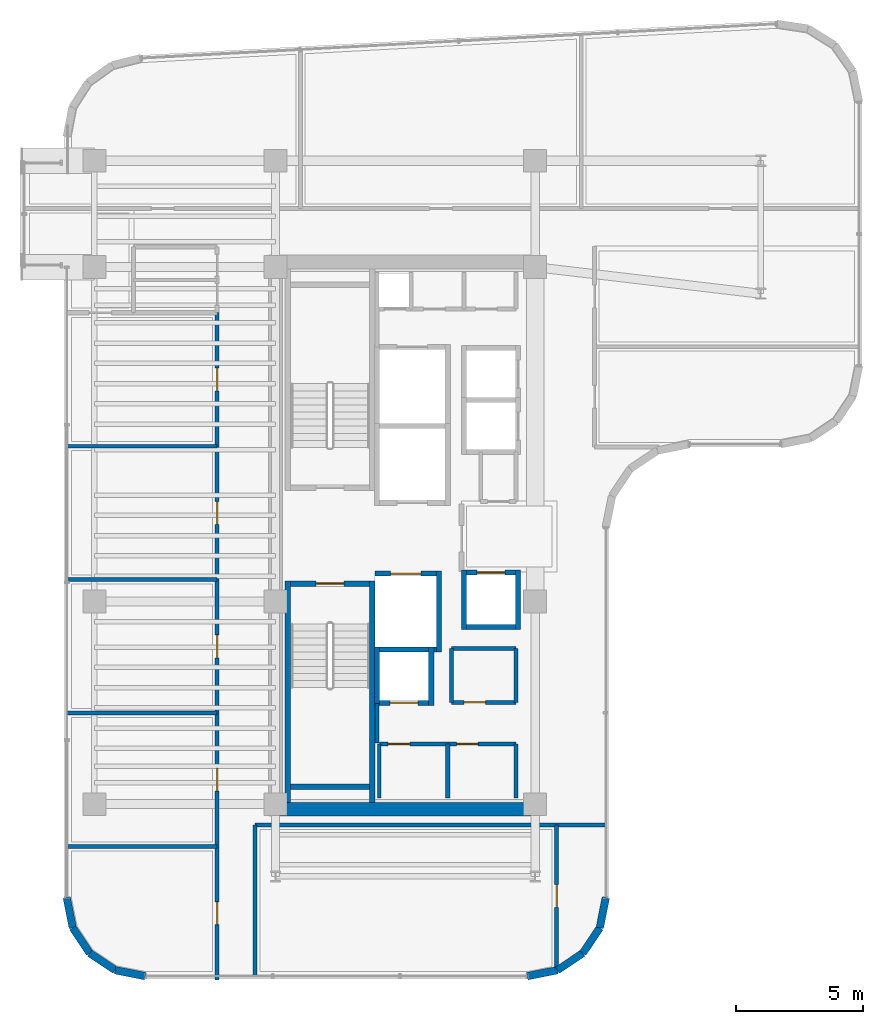
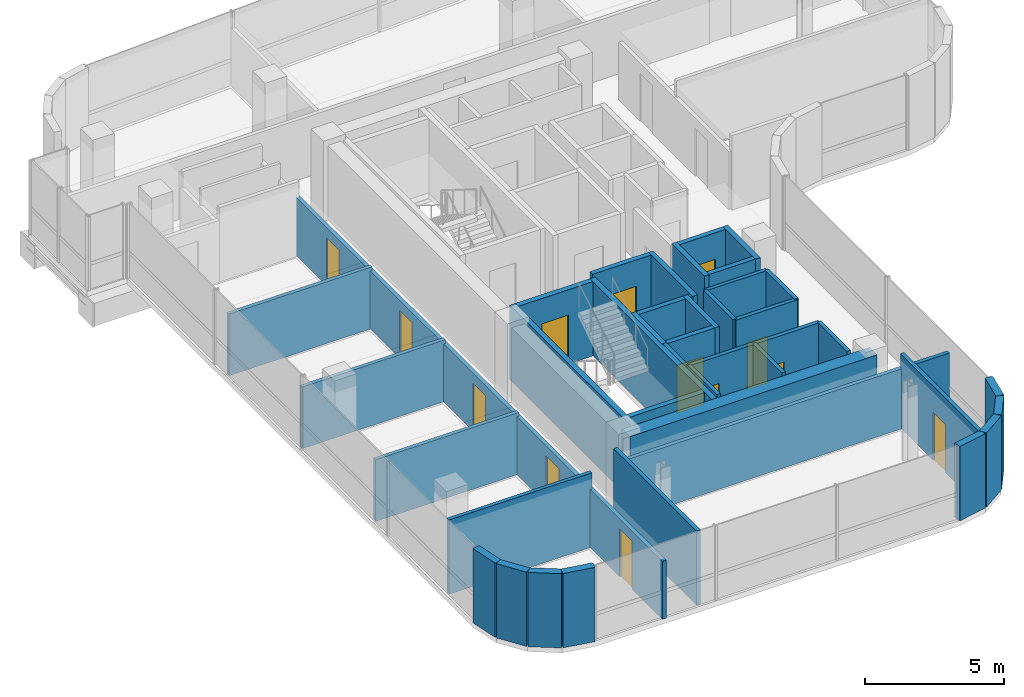
# One storey, part 17 of 21: 40 walls, 13 doors, 13 openings.
"""IFC4 building model written with IfcOpenShell, lengths in metres."""

import ifcopenshell
import ifcopenshell.guid

model = None  # the IFC model being written
_history = None  # IfcOwnerHistory: only IFC2X3 demands one
_inside = {}  # id of a spatial element -> (the spatial element, [elements in it])
_under = {}  # id of a project, library or spatial element -> (it, [spatial elements below it])
_declared = {}  # id of a project -> (the project, [libraries it declares])
_typed = {}  # id of a type object -> (the type object, [elements of that type])
_made_of = {}  # id of a material, layer set ... -> (it, [elements and type objects made of it])


def new_model(schema):
    """Start an empty IFC model of exactly this schema.

    Asked for "IFC4X3", IfcOpenShell would pick the latest addendum, in which some entities
    have other attributes; the version numbers below select the first issue.
    IFC2X3 requires an IfcOwnerHistory on every rooted entity: one is made here for all.
    """
    global model, _history
    if schema == "IFC4X3":
        model = ifcopenshell.file(schema_version=(4, 3, 0, 0))
    else:
        model = ifcopenshell.file(schema=schema)
    _inside.clear()
    _under.clear()
    _declared.clear()
    _typed.clear()
    _made_of.clear()
    _history = None
    if model.schema == "IFC2X3":
        org = make("IfcOrganization", Name="unknown")
        user = make(
            "IfcPersonAndOrganization",
            ThePerson=make("IfcPerson", FamilyName="unknown"),
            TheOrganization=org,
        )
        app = make(
            "IfcApplication",
            ApplicationDeveloper=org,
            Version="unknown",
            ApplicationFullName="unknown",
            ApplicationIdentifier="unknown",
        )
        _history = make(
            "IfcOwnerHistory",
            OwningUser=user,
            OwningApplication=app,
            ChangeAction="ADDED",
            CreationDate=0,
        )
    return model


def make(cls, **values):
    """One entity of the class cls with the attributes given. An attribute that is None is left unset."""
    return model.create_entity(
        cls, **{name: value for name, value in values.items() if value is not None}
    )


def rooted(cls, **values):
    """An entity with a GlobalId (a new one), such as an element, a storey or a relation."""
    return make(cls, GlobalId=ifcopenshell.guid.new(), OwnerHistory=_history, **values)


def si_unit(unit_type, name, prefix=None):
    """IfcSIUnit, for example si_unit("LENGTHUNIT", "METRE", prefix="MILLI")."""
    return make("IfcSIUnit", UnitType=unit_type, Prefix=prefix, Name=name)


def assignment(units):
    """IfcUnitAssignment: the units of a project."""
    return None if units is None else make("IfcUnitAssignment", Units=units)


def point(xyz):
    """IfcCartesianPoint."""
    return None if xyz is None else make("IfcCartesianPoint", Coordinates=xyz)


def direction(xyz):
    """IfcDirection."""
    return None if xyz is None else make("IfcDirection", DirectionRatios=xyz)


def frame(location, z_axis=None, x_axis=None):
    """IfcAxis2Placement3D, a coordinate frame: its origin and axes. An axis left out is left unset."""
    return make(
        "IfcAxis2Placement3D",
        Location=point(location),
        Axis=direction(z_axis),
        RefDirection=direction(x_axis),
    )


def frame_2d(location, x_axis=None):
    """IfcAxis2Placement2D, a coordinate frame in the plane: its origin and x axis."""
    return make(
        "IfcAxis2Placement2D", Location=point(location), RefDirection=direction(x_axis)
    )


def origin():
    """The frame at (0, 0, 0) with its axes left unset."""
    return frame((0.0, 0.0, 0.0))


def place(relative_to, where):
    """IfcLocalPlacement: puts the frame where relative to a parent placement (None: the world)."""
    return make(
        "IfcLocalPlacement", PlacementRelTo=relative_to, RelativePlacement=where
    )


def context(
    kind, dimensions, precision=None, world=None, true_north=None, identifier=None
):
    """IfcGeometricRepresentationContext, for example the 3D "Model" context."""
    return make(
        "IfcGeometricRepresentationContext",
        ContextIdentifier=identifier,
        ContextType=kind,
        CoordinateSpaceDimension=dimensions,
        Precision=precision,
        WorldCoordinateSystem=world,
        TrueNorth=true_north,
    )


def subcontext(parent, identifier, kind, view, scale=None):
    """IfcGeometricRepresentationSubContext, for example "Body" below "Model"."""
    return make(
        "IfcGeometricRepresentationSubContext",
        ContextIdentifier=identifier,
        ContextType=kind,
        ParentContext=parent,
        TargetScale=scale,
        TargetView=view,
    )


def project(units=None, contexts=None):
    """IfcProject with its units and contexts."""
    return rooted(
        "IfcProject",
        Name="project",
        RepresentationContexts=contexts,
        UnitsInContext=assignment(units),
    )


def spatial(cls, under=None, at=None, **own):
    """A site, building, storey or space (cls), placed at a placement, below another one or the project."""
    s = rooted(cls, ObjectPlacement=at, **own)
    if under is not None:
        _under.setdefault(under.id(), (under, []))[1].append(s)
    return s


def profile(cls, at=None, kind="AREA", **sizes):
    """A parametric profile (cls). Its sizes go by their IFC names, for example OverallWidth=200.0."""
    return make(cls, ProfileType=kind, Position=at, **sizes)


def rectangle(**sizes):
    """IfcRectangleProfileDef."""
    return profile("IfcRectangleProfileDef", **sizes)


def extrude(swept, where, along, depth):
    """IfcExtrudedAreaSolid: the profile swept, set in the frame where, extruded along a direction by depth."""
    return make(
        "IfcExtrudedAreaSolid",
        SweptArea=swept,
        Position=where,
        ExtrudedDirection=direction(along),
        Depth=depth,
    )


def shape(context_of_items, identifier, shape_type, items):
    """IfcShapeRepresentation: the items that make up one representation, for example the "Body"."""
    return make(
        "IfcShapeRepresentation",
        ContextOfItems=context_of_items,
        RepresentationIdentifier=identifier,
        RepresentationType=shape_type,
        Items=items,
    )


def material(Name=None, Category=None):
    """IfcMaterial."""
    return make("IfcMaterial", Name=Name, Category=Category)


def layer(
    of_material, thickness, ventilated=None, Name=None, Category=None, Priority=None
):
    """IfcMaterialLayer: one layer of a wall or slab, of a material (None: an air gap)."""
    return make(
        "IfcMaterialLayer",
        Material=of_material,
        LayerThickness=thickness,
        IsVentilated=ventilated,
        Name=Name,
        Category=Category,
        Priority=Priority,
    )


def layer_set(layers, Name=None):
    """IfcMaterialLayerSet."""
    return make("IfcMaterialLayerSet", MaterialLayers=layers, LayerSetName=Name)


def made_of(thing, what):
    """Note that an element or type object is made of a material, layer set ...; save() writes the relation."""
    if what is not None:
        _made_of.setdefault(what.id(), (what, []))[1].append(thing)
    return thing


def type_object(cls, material=None, **own):
    """A type object (cls), such as IfcWallType, which elements share."""
    return made_of(rooted(cls, **own), material)


def element(
    cls,
    number,
    at=None,
    inside=None,
    cuts=None,
    type_object=None,
    material=None,
    context=None,
    identifier="Body",
    shape_type=None,
    held_by="IfcProductDefinitionShape",
    body=None,
    shapes=None,
    **own,
):
    """One element of the class cls, such as IfcWall. Its Tag is "e" and its number.

    at: its placement. inside: the storey or other place that contains it. cuts: it is an
    opening in that element (IfcRelVoidsElement). A single representation is given by context,
    identifier, shape_type and body (its items); several are given by shapes. held_by: the class
    of the entity that holds the representations. save() writes the other relations.
    """
    e = rooted(cls, Tag="e%d" % number, ObjectPlacement=at, **own)
    if body is not None:
        shapes = [shape(context, identifier, shape_type, body)]
    if shapes is not None:
        e.Representation = make(held_by, Representations=shapes)
    if inside is not None:
        _inside.setdefault(inside.id(), (inside, []))[1].append(e)
    if cuts is not None:
        rooted(
            "IfcRelVoidsElement", RelatingBuildingElement=cuts, RelatedOpeningElement=e
        )
    if type_object is not None:
        _typed.setdefault(type_object.id(), (type_object, []))[1].append(e)
    return made_of(e, material)


def fill(opening, filler):
    """IfcRelFillsElement: the door or window that sits in an opening."""
    return rooted(
        "IfcRelFillsElement",
        RelatingOpeningElement=opening,
        RelatedBuildingElement=filler,
    )


def aggregate(whole, parts):
    """IfcRelAggregates: a whole, such as a stair, and the parts it consists of."""
    return rooted("IfcRelAggregates", RelatingObject=whole, RelatedObjects=parts)


def save(model, path):
    """Write the relations noted so far, then the file.

    IfcRelAggregates (storeys below a building ...), IfcRelContainedInSpatialStructure (elements
    in a storey), IfcRelDefinesByType, IfcRelAssociatesMaterial and IfcRelDeclares: one each for
    every whole, place, type object, material and project.
    """
    for whole, parts in _under.values():
        aggregate(whole, parts)
    for where, things in _inside.values():
        rooted(
            "IfcRelContainedInSpatialStructure",
            RelatedElements=things,
            RelatingStructure=where,
        )
    for kind, things in _typed.values():
        rooted("IfcRelDefinesByType", RelatedObjects=things, RelatingType=kind)
    for what, things in _made_of.values():
        rooted("IfcRelAssociatesMaterial", RelatedObjects=things, RelatingMaterial=what)
    for by, libraries in _declared.values():
        rooted("IfcRelDeclares", RelatingContext=by, RelatedDefinitions=libraries)
    model.write(path)


model = new_model("IFC4")

# Units and contexts
model_context = context("Model", 3, precision=1e-05, world=origin(), true_north=direction((0.0, 1.0)))
body_context = subcontext(model_context, "Body", "Model", "MODEL_VIEW")
ifc_project = project(units=[si_unit("LENGTHUNIT", "METRE"), si_unit("AREAUNIT", "SQUARE_METRE"), si_unit("VOLUMEUNIT", "CUBIC_METRE"), si_unit("PLANEANGLEUNIT", "RADIAN"), si_unit("MASSUNIT", "GRAM", prefix="KILO")], contexts=[model_context])

# Site, building, storey
site_placement = place(None, origin())
site = spatial("IfcSite", under=ifc_project, at=site_placement, CompositionType="ELEMENT")
building_placement = place(site_placement, origin())
building = spatial("IfcBuilding", under=site, at=building_placement, Name="Valdorenza Pilgrim Sanctuary Tower", CompositionType="ELEMENT")
storey_placement = place(building_placement, frame((0.0, 0.0, 223.0)))
storey = spatial("IfcBuildingStorey", under=building, at=storey_placement, Name="L57", CompositionType="ELEMENT", Elevation=223.0)

# Wall
ifc_material_1 = material(Name="Acoustic twin-stud gypsum partition", Category="gypsum")
ifc_layer_1 = layer(ifc_material_1, 0.159912109375, Name="Acoustic twin-stud gypsum partition")
ifc_layer_set_1 = layer_set([ifc_layer_1], Name="Acoustic twin-stud gypsum partition")
wall_type_1 = type_object("IfcWallType", Name="WAL-COR-160", PredefinedType="PARTITIONING", material=ifc_layer_set_1)
wall_1_placement = place(storey_placement, frame((-18.64990234375, -8.179931640625, 0.0), z_axis=(0.0, 0.0, 1.0), x_axis=(0.0, 1.0, 0.0)))
element("IfcWall", 1, at=wall_1_placement, inside=storey, type_object=wall_type_1, Name="L57 Core A South Lift Hall West Wall", PredefinedType="PARTITIONING", context=body_context, shape_type="SweptSolid", body=[
    extrude(rectangle(XDim=1.559814453125, YDim=0.159912109375, at=frame_2d((0.77978515625, 0.0))), origin(), (0.0, 0.0, 1.0), 3.260009765625),
])

# Wall, openings, doors
wall_2_placement = place(storey_placement, frame((-18.550048828125, -8.219970703125, 0.0), z_axis=(0.0, 0.0, 1.0), x_axis=(1.0, 0.0, 0.0)))
wall_2 = element("IfcWall", 2, at=wall_2_placement, inside=storey, type_object=wall_type_1, Name="L57 Freed Shaft 1 North Wall", PredefinedType="PARTITIONING", context=body_context, shape_type="SweptSolid", body=[
    extrude(rectangle(XDim=5.400146484375, YDim=0.159912109375, at=frame_2d((2.7001953125, 0.0))), origin(), (0.0, 0.0, 1.0), 3.260009765625),
])
opening_1_placement = place(wall_2_placement, frame((0.35009765625, 0.0, 0.0)))
opening_1 = element("IfcOpeningElement", 3, at=opening_1_placement, cuts=wall_2, Name="Opening DR-RS1", PredefinedType="OPENING", context=body_context, shape_type="SweptSolid", body=[
    extrude(rectangle(XDim=0.85009765625, YDim=2.050048828125, at=frame_2d((0.425048828125, 1.02490234375))), frame((0.0, 0.0947265625, 0.0), z_axis=(0.0, -1.0, 0.0), x_axis=(1.0, 0.0, 0.0)), (0.0, 0.0, 1.0), 0.189697265625),
])
opening_2_placement = place(wall_2_placement, frame((3.050048828125, 0.0, 0.0)))
opening_2 = element("IfcOpeningElement", 4, at=opening_2_placement, cuts=wall_2, Name="Opening DR-RS1", PredefinedType="OPENING", context=body_context, shape_type="SweptSolid", body=[
    extrude(rectangle(XDim=0.85009765625, YDim=2.050048828125, at=frame_2d((0.425048828125, 1.02490234375))), frame((0.0, 0.0947265625, 0.0), z_axis=(0.0, -1.0, 0.0), x_axis=(1.0, 0.0, 0.0)), (0.0, 0.0, 1.0), 0.189697265625),
])
ifc_material_2 = material(Name="Painted galvanized steel", Category="steel")
door_type_1 = type_object("IfcDoorType", Name="DR-RSR-850", OperationType="NOTDEFINED", PredefinedType="DOOR", material=ifc_material_2)
door_1_placement = place(opening_1_placement, origin())
door_1 = element("IfcDoor", 5, at=door_1_placement, inside=storey, type_object=door_type_1, Name="L57 Linen Store Door", OperationType="SINGLE_SWING_RIGHT", OverallHeight=2.050048828125, OverallWidth=0.85009765625, PredefinedType="DOOR", context=body_context, shape_type="SweptSolid", body=[
    extrude(rectangle(XDim=0.85009765625, YDim=2.050048828125, at=frame_2d((0.425048828125, 1.02490234375))), frame((0.0, 0.02490234375, 0.0), z_axis=(0.0, -1.0, 0.0), x_axis=(1.0, 0.0, 0.0)), (0.0, 0.0, 1.0), 0.050048828125),
])
fill(opening_1, door_1)
door_2_placement = place(opening_2_placement, origin())
door_2 = element("IfcDoor", 6, at=door_2_placement, inside=storey, type_object=door_type_1, Name="L57 Cot Store Door", OperationType="SINGLE_SWING_LEFT", OverallHeight=2.050048828125, OverallWidth=0.85009765625, PredefinedType="DOOR", context=body_context, shape_type="SweptSolid", body=[
    extrude(rectangle(XDim=0.85009765625, YDim=2.050048828125, at=frame_2d((0.425048828125, 1.02490234375))), frame((0.0, 0.02490234375, 0.0), z_axis=(0.0, -1.0, 0.0), x_axis=(1.0, 0.0, 0.0)), (0.0, 0.0, 1.0), 0.050048828125),
])
fill(opening_2, door_2)

# Walls
for number, where, z_axis, x_axis, name in (
    (7, (-13.14990234375, -10.35009765625, 0.0), (0.0, 0.0, 1.0), (0.0, 1.0, 0.0), "L57 Freed Shaft 1 East Wall"),
    (8, (-15.85009765625, -10.35009765625, 0.0), (0.0, 0.0, 1.0), (0.0, 1.0, 0.0), "L57 Freed Shaft 1 Split Wall"),
):
    element("IfcWall", number, at=place(storey_placement, frame(where, z_axis=z_axis, x_axis=x_axis)), inside=storey, type_object=wall_type_1, Name=name, PredefinedType="PARTITIONING", context=body_context, shape_type="SweptSolid", body=[
        extrude(rectangle(XDim=2.130126953125, YDim=0.159912109375, at=frame_2d((1.06494140625, 0.0))), origin(), (0.0, 0.0, 1.0), 3.260009765625),
    ])

# Wall, opening, door
wall_3_placement = place(storey_placement, frame((-15.699951171875, -6.580078125, 0.0), z_axis=(0.0, 0.0, 1.0), x_axis=(1.0, 0.0, 0.0)))
wall_3 = element("IfcWall", 9, at=wall_3_placement, inside=storey, type_object=wall_type_1, Name="L57 Freed Shaft 2 South Wall", PredefinedType="PARTITIONING", context=body_context, shape_type="SweptSolid", body=[
    extrude(rectangle(XDim=2.550048828125, YDim=0.159912109375, at=frame_2d((1.27490234375, 0.0))), origin(), (0.0, 0.0, 1.0), 3.260009765625),
])
opening_3_placement = place(wall_3_placement, frame((0.5, 0.0, 0.0)))
opening_3 = element("IfcOpeningElement", 10, at=opening_3_placement, cuts=wall_3, Name="Opening DR-RS1", PredefinedType="OPENING", context=body_context, shape_type="SweptSolid", body=[
    extrude(rectangle(XDim=0.85009765625, YDim=2.050048828125, at=frame_2d((0.425048828125, 1.02490234375))), frame((0.0, 0.0947265625, 0.0), z_axis=(0.0, -1.0, 0.0), x_axis=(1.0, 0.0, 0.0)), (0.0, 0.0, 1.0), 0.189697265625),
])
door_3_placement = place(opening_3_placement, origin())
door_3 = element("IfcDoor", 11, at=door_3_placement, inside=storey, type_object=door_type_1, Name="L57 Guest Tea Pantry Door", OperationType="SINGLE_SWING_RIGHT", OverallHeight=2.050048828125, OverallWidth=0.85009765625, PredefinedType="DOOR", context=body_context, shape_type="SweptSolid", body=[
    extrude(rectangle(XDim=0.85009765625, YDim=2.050048828125, at=frame_2d((0.425048828125, 1.02490234375))), frame((0.0, 0.02490234375, 0.0), z_axis=(0.0, -1.0, 0.0), x_axis=(1.0, 0.0, 0.0)), (0.0, 0.0, 1.0), 0.050048828125),
])
fill(opening_3, door_3)

# Walls
wall_4_placement = place(storey_placement, frame((-13.14990234375, -6.580078125, 0.0), z_axis=(0.0, 0.0, 1.0), x_axis=(0.0, 1.0, 0.0)))
element("IfcWall", 12, at=wall_4_placement, inside=storey, type_object=wall_type_1, Name="L57 Freed Shaft 2 East Wall", PredefinedType="PARTITIONING", context=body_context, shape_type="SweptSolid", body=[
    extrude(rectangle(XDim=2.130126953125, YDim=0.159912109375, at=frame_2d((1.06494140625, 0.0))), origin(), (0.0, 0.0, 1.0), 3.260009765625),
])
wall_5_placement = place(storey_placement, frame((-23.449951171875, -11.419921875, 0.0), z_axis=(0.0, 0.0, 1.0), x_axis=(1.0, 0.0, 0.0)))
element("IfcWall", 13, at=wall_5_placement, inside=storey, type_object=wall_type_1, Name="L57 South-East Pocket North Wall", PredefinedType="PARTITIONING", context=body_context, shape_type="SweptSolid", body=[
    extrude(rectangle(XDim=13.83984375, YDim=0.159912109375, at=frame_2d((6.919921875, 0.0))), origin(), (0.0, 0.0, 1.0), 2.634033203125),
])
wall_6_placement = place(storey_placement, frame((-23.449951171875, -17.389892578125, 0.0), z_axis=(0.0, 0.0, 1.0), x_axis=(0.0, 1.0, 0.0)))
element("IfcWall", 14, at=wall_6_placement, inside=storey, type_object=wall_type_1, Name="L57 South-East Pocket West Wall", PredefinedType="PARTITIONING", context=body_context, shape_type="SweptSolid", body=[
    extrude(rectangle(XDim=5.969970703125, YDim=0.159912109375, at=frame_2d((2.98486328125, 0.0))), origin(), (0.0, 0.0, 1.0), 3.260009765625),
])

# Wall, openings, doors
wall_7_placement = place(storey_placement, frame((-24.949951171875, -17.5400390625, 0.0), z_axis=(0.0, 0.0, 1.0), x_axis=(0.0, 1.0, 0.0)))
wall_7 = element("IfcWall", 15, at=wall_7_placement, inside=storey, type_object=wall_type_1, Name="L57 West Wing Corridor Wall", PredefinedType="PARTITIONING", context=body_context, shape_type="SweptSolid", body=[
    extrude(rectangle(XDim=26.340087890625, YDim=0.159912109375, at=frame_2d((13.169921875, 0.0))), origin(), (0.0, 0.0, 1.0), 2.5439453125),
])
opening_4_placement = place(wall_7_placement, frame((2.18408203125, 0.0, 0.0)))
opening_4 = element("IfcOpeningElement", 16, at=opening_4_placement, cuts=wall_7, Name="Opening DR-RM1", PredefinedType="OPENING", context=body_context, shape_type="SweptSolid", body=[
    extrude(rectangle(XDim=0.89990234375, YDim=2.10009765625, at=frame_2d((0.449951171875, 1.050048828125))), frame((0.0, 0.0947265625, 0.0), z_axis=(0.0, -1.0, 0.0), x_axis=(1.0, 0.0, 0.0)), (0.0, 0.0, 1.0), 0.189697265625),
])
opening_5_placement = place(wall_7_placement, frame((7.451904296875, 0.0, 0.0)))
opening_5 = element("IfcOpeningElement", 17, at=opening_5_placement, cuts=wall_7, Name="Opening DR-RM1", PredefinedType="OPENING", context=body_context, shape_type="SweptSolid", body=[
    extrude(rectangle(XDim=0.89990234375, YDim=2.10009765625, at=frame_2d((0.449951171875, 1.050048828125))), frame((0.0, 0.0947265625, 0.0), z_axis=(0.0, -1.0, 0.0), x_axis=(1.0, 0.0, 0.0)), (0.0, 0.0, 1.0), 0.189697265625),
])
opening_6_placement = place(wall_7_placement, frame((12.719970703125, 0.0, 0.0)))
opening_6 = element("IfcOpeningElement", 18, at=opening_6_placement, cuts=wall_7, Name="Opening DR-RM1", PredefinedType="OPENING", context=body_context, shape_type="SweptSolid", body=[
    extrude(rectangle(XDim=0.89990234375, YDim=2.10009765625, at=frame_2d((0.449951171875, 1.050048828125))), frame((0.0, 0.0947265625, 0.0), z_axis=(0.0, -1.0, 0.0), x_axis=(1.0, 0.0, 0.0)), (0.0, 0.0, 1.0), 0.189697265625),
])
opening_7_placement = place(wall_7_placement, frame((17.988037109375, 0.0, 0.0)))
opening_7 = element("IfcOpeningElement", 19, at=opening_7_placement, cuts=wall_7, Name="Opening DR-RM1", PredefinedType="OPENING", context=body_context, shape_type="SweptSolid", body=[
    extrude(rectangle(XDim=0.89990234375, YDim=2.10009765625, at=frame_2d((0.449951171875, 1.050048828125))), frame((0.0, 0.0947265625, 0.0), z_axis=(0.0, -1.0, 0.0), x_axis=(1.0, 0.0, 0.0)), (0.0, 0.0, 1.0), 0.189697265625),
])
opening_8_placement = place(wall_7_placement, frame((23.256103515625, 0.0, 0.0)))
opening_8 = element("IfcOpeningElement", 20, at=opening_8_placement, cuts=wall_7, Name="Opening DR-RM1", PredefinedType="OPENING", context=body_context, shape_type="SweptSolid", body=[
    extrude(rectangle(XDim=0.89990234375, YDim=2.10009765625, at=frame_2d((0.449951171875, 1.050048828125))), frame((0.0, 0.0947265625, 0.0), z_axis=(0.0, -1.0, 0.0), x_axis=(1.0, 0.0, 0.0)), (0.0, 0.0, 1.0), 0.189697265625),
])
ifc_material_3 = material(Name="Solid-core European oak timber", Category="wood")
door_type_2 = type_object("IfcDoorType", Name="DR-ROOM-900", OperationType="NOTDEFINED", PredefinedType="DOOR", material=ifc_material_3)
door_4_placement = place(opening_4_placement, frame((0.89990234375, 0.0, 0.0), z_axis=(0.0, 0.0, 1.0), x_axis=(-1.0, 0.0, 0.0)))
door_4 = element("IfcDoor", 21, at=door_4_placement, inside=storey, type_object=door_type_2, Name="L57 Pilgrim Scholar Office L57-W1 Door", OperationType="SINGLE_SWING_LEFT", OverallHeight=2.10009765625, OverallWidth=0.89990234375, PredefinedType="DOOR", context=body_context, shape_type="SweptSolid", body=[
    extrude(rectangle(XDim=0.89990234375, YDim=2.10009765625, at=frame_2d((0.449951171875, 1.050048828125))), frame((0.0, 0.02490234375, 0.0), z_axis=(0.0, -1.0, 0.0), x_axis=(1.0, 0.0, 0.0)), (0.0, 0.0, 1.0), 0.050048828125),
])
fill(opening_4, door_4)
door_5_placement = place(opening_5_placement, origin())
door_5 = element("IfcDoor", 22, at=door_5_placement, inside=storey, type_object=door_type_2, Name="L57 Pilgrim Scholar Office L57-W2 Door", OperationType="SINGLE_SWING_RIGHT", OverallHeight=2.10009765625, OverallWidth=0.89990234375, PredefinedType="DOOR", context=body_context, shape_type="SweptSolid", body=[
    extrude(rectangle(XDim=0.89990234375, YDim=2.10009765625, at=frame_2d((0.449951171875, 1.050048828125))), frame((0.0, 0.02490234375, 0.0), z_axis=(0.0, -1.0, 0.0), x_axis=(1.0, 0.0, 0.0)), (0.0, 0.0, 1.0), 0.050048828125),
])
fill(opening_5, door_5)
door_6_placement = place(opening_6_placement, frame((0.89990234375, 0.0, 0.0), z_axis=(0.0, 0.0, 1.0), x_axis=(-1.0, 0.0, 0.0)))
door_6 = element("IfcDoor", 23, at=door_6_placement, inside=storey, type_object=door_type_2, Name="L57 Pilgrim Scholar Office L57-W3 Door", OperationType="SINGLE_SWING_LEFT", OverallHeight=2.10009765625, OverallWidth=0.89990234375, PredefinedType="DOOR", context=body_context, shape_type="SweptSolid", body=[
    extrude(rectangle(XDim=0.89990234375, YDim=2.10009765625, at=frame_2d((0.449951171875, 1.050048828125))), frame((0.0, 0.02490234375, 0.0), z_axis=(0.0, -1.0, 0.0), x_axis=(1.0, 0.0, 0.0)), (0.0, 0.0, 1.0), 0.050048828125),
])
fill(opening_6, door_6)
door_7_placement = place(opening_7_placement, origin())
door_7 = element("IfcDoor", 24, at=door_7_placement, inside=storey, type_object=door_type_2, Name="L57 Pilgrim Scholar Office L57-W4 Door", OperationType="SINGLE_SWING_RIGHT", OverallHeight=2.10009765625, OverallWidth=0.89990234375, PredefinedType="DOOR", context=body_context, shape_type="SweptSolid", body=[
    extrude(rectangle(XDim=0.89990234375, YDim=2.10009765625, at=frame_2d((0.449951171875, 1.050048828125))), frame((0.0, 0.02490234375, 0.0), z_axis=(0.0, -1.0, 0.0), x_axis=(1.0, 0.0, 0.0)), (0.0, 0.0, 1.0), 0.050048828125),
])
fill(opening_7, door_7)
door_8_placement = place(opening_8_placement, frame((0.89990234375, 0.0, 0.0), z_axis=(0.0, 0.0, 1.0), x_axis=(-1.0, 0.0, 0.0)))
door_8 = element("IfcDoor", 25, at=door_8_placement, inside=storey, type_object=door_type_2, Name="L57 Pilgrim Scholar Office L57-W5 Door", OperationType="SINGLE_SWING_LEFT", OverallHeight=2.10009765625, OverallWidth=0.89990234375, PredefinedType="DOOR", context=body_context, shape_type="SweptSolid", body=[
    extrude(rectangle(XDim=0.89990234375, YDim=2.10009765625, at=frame_2d((0.449951171875, 1.050048828125))), frame((0.0, 0.02490234375, 0.0), z_axis=(0.0, -1.0, 0.0), x_axis=(1.0, 0.0, 0.0)), (0.0, 0.0, 1.0), 0.050048828125),
])
fill(opening_8, door_8)

# Wall, opening, door
wall_8_placement = place(storey_placement, frame((-11.550048828125, -17.023681640625, 0.0), z_axis=(0.0, 0.0, 1.0), x_axis=(0.0, 1.0, 0.0)))
wall_8 = element("IfcWall", 26, at=wall_8_placement, inside=storey, type_object=wall_type_1, Name="L57 South-East Concourse Wall", PredefinedType="PARTITIONING", context=body_context, shape_type="SweptSolid", body=[
    extrude(rectangle(XDim=5.603759765625, YDim=0.159912109375, at=frame_2d((2.8017578125, 0.0))), origin(), (0.0, 0.0, 1.0), 3.260009765625),
])
opening_9_placement = place(wall_8_placement, frame((2.35205078125, 0.0, 0.0)))
opening_9 = element("IfcOpeningElement", 27, at=opening_9_placement, cuts=wall_8, Name="Opening DR-RM1", PredefinedType="OPENING", context=body_context, shape_type="SweptSolid", body=[
    extrude(rectangle(XDim=0.89990234375, YDim=2.10009765625, at=frame_2d((0.449951171875, 1.050048828125))), frame((0.0, 0.0947265625, 0.0), z_axis=(0.0, -1.0, 0.0), x_axis=(1.0, 0.0, 0.0)), (0.0, 0.0, 1.0), 0.189697265625),
])
door_9_placement = place(opening_9_placement, origin())
door_9 = element("IfcDoor", 28, at=door_9_placement, inside=storey, type_object=door_type_2, Name="L57 South Contemplation Lounge L57 Door", OperationType="SINGLE_SWING_RIGHT", OverallHeight=2.10009765625, OverallWidth=0.89990234375, PredefinedType="DOOR", context=body_context, shape_type="SweptSolid", body=[
    extrude(rectangle(XDim=0.89990234375, YDim=2.10009765625, at=frame_2d((0.449951171875, 1.050048828125))), frame((0.0, 0.02490234375, 0.0), z_axis=(0.0, -1.0, 0.0), x_axis=(1.0, 0.0, 0.0)), (0.0, 0.0, 1.0), 0.050048828125),
])
fill(opening_9, door_9)

# Walls
ifc_material_4 = material(Name="Concrete C50/60", Category="concrete")
ifc_layer_2 = layer(ifc_material_4, 0.550048828125, Name="Concrete C50/60")
ifc_layer_set_2 = layer_set([ifc_layer_2], Name="Concrete C50/60")
wall_type_2 = type_object("IfcWallType", Name="WAL-COR-550", PredefinedType="SHEAR", material=ifc_layer_set_2)
wall_9_placement = place(storey_placement, frame((-22.64990234375, -10.800048828125, 0.0), z_axis=(0.0, 0.0, 1.0), x_axis=(1.0, 0.0, 0.0)))
element("IfcWall", 29, at=wall_9_placement, inside=storey, type_object=wall_type_2, Name="L57 Split Core A Shear Wall S", PredefinedType="SHEAR", context=body_context, shape_type="SweptSolid", body=[
    extrude(rectangle(XDim=10.25, YDim=0.550048828125, at=frame_2d((5.125, 0.0))), origin(), (0.0, 0.0, 1.0), 3.260009765625),
])
ifc_material_5 = material(Name="Honed travertine limestone", Category="masonry")
ifc_layer_3 = layer(ifc_material_5, 0.300048828125, Name="Honed travertine limestone")
ifc_layer_set_3 = layer_set([ifc_layer_3], Name="Honed travertine limestone")
wall_type_3 = type_object("IfcWallType", Name="WAL-EXT-300", PredefinedType="SOLIDWALL", material=ifc_layer_set_3)
wall_10_placement = place(storey_placement, frame((-9.610107421875, -14.289306640625, 0.0), z_axis=(0.0, 0.0, 1.0), x_axis=(-0.194996050505, -0.980804027463, 0.0)))
element("IfcWall", 30, at=wall_10_placement, inside=storey, type_object=wall_type_3, Name="L57 Rounded Wind-Corner Stone Pier 22", PredefinedType="SOLIDWALL", context=body_context, shape_type="SweptSolid", body=[
    extrude(rectangle(XDim=1.2158203125, YDim=0.300048828125, at=frame_2d((0.60791015625, 0.0))), origin(), (0.0, 0.0, 1.0), 3.260009765625),
])
for number, where, z_axis, x_axis, name in (
    (31, (-9.84716796875, -15.481689453125, 0.0), (0.0, 0.0, 1.0), (-0.555635100982, -0.831426265255, 0.0), "L57 Rounded Wind-Corner Stone Pier 23"),
    (32, (-10.5166015625, -16.4833984375, 0.0), (0.0, 0.0, 1.0), (-0.831426265255, -0.555635100982, 0.0), "L57 Rounded Wind-Corner Stone Pier 24"),
):
    element("IfcWall", number, at=place(storey_placement, frame(where, z_axis=z_axis, x_axis=x_axis)), inside=storey, type_object=wall_type_3, Name=name, PredefinedType="SOLIDWALL", context=body_context, shape_type="SweptSolid", body=[
        extrude(rectangle(XDim=1.204833984375, YDim=0.300048828125, at=frame_2d((0.6025390625, 0.0))), origin(), (0.0, 0.0, 1.0), 3.260009765625),
    ])
for number, where, z_axis, x_axis, name in (
    (33, (-11.518310546875, -17.15283203125, 0.0), (0.0, 0.0, 1.0), (-0.980804027463, -0.194996050505, 0.0), "L57 Rounded Wind-Corner Stone Pier 25"),
    (34, (-27.789306640625, -17.389892578125, 0.0), (0.0, 0.0, 1.0), (-0.980804027463, 0.194996050505, 0.0), "L57 Rounded Wind-Corner Stone Pier 27"),
):
    element("IfcWall", number, at=place(storey_placement, frame(where, z_axis=z_axis, x_axis=x_axis)), inside=storey, type_object=wall_type_3, Name=name, PredefinedType="SOLIDWALL", context=body_context, shape_type="SweptSolid", body=[
        extrude(rectangle(XDim=1.2158203125, YDim=0.300048828125, at=frame_2d((0.60791015625, 0.0))), origin(), (0.0, 0.0, 1.0), 3.260009765625),
    ])
for number, where, z_axis, x_axis, name in (
    (35, (-28.981689453125, -17.15283203125, 0.0), (0.0, 0.0, 1.0), (-0.831426265255, 0.555635100982, 0.0), "L57 Rounded Wind-Corner Stone Pier 28"),
    (36, (-29.9833984375, -16.4833984375, 0.0), (0.0, 0.0, 1.0), (-0.555635100982, 0.831426265255, 0.0), "L57 Rounded Wind-Corner Stone Pier 29"),
):
    element("IfcWall", number, at=place(storey_placement, frame(where, z_axis=z_axis, x_axis=x_axis)), inside=storey, type_object=wall_type_3, Name=name, PredefinedType="SOLIDWALL", context=body_context, shape_type="SweptSolid", body=[
        extrude(rectangle(XDim=1.204833984375, YDim=0.300048828125, at=frame_2d((0.6025390625, 0.0))), origin(), (0.0, 0.0, 1.0), 3.260009765625),
    ])
wall_11_placement = place(storey_placement, frame((-30.65283203125, -15.481689453125, 0.0), z_axis=(0.0, 0.0, 1.0), x_axis=(-0.194996050505, 0.980804027463, 0.0)))
element("IfcWall", 37, at=wall_11_placement, inside=storey, type_object=wall_type_3, Name="L57 Rounded Wind-Corner Stone Pier 30", PredefinedType="SOLIDWALL", context=body_context, shape_type="SweptSolid", body=[
    extrude(rectangle(XDim=1.2158203125, YDim=0.300048828125, at=frame_2d((0.60791015625, 0.0))), origin(), (0.0, 0.0, 1.0), 3.260009765625),
])
ifc_material_6 = material(Name="Autoclaved aerated concrete blockwork", Category="masonry")
ifc_layer_4 = layer(ifc_material_6, 0.199951171875, Name="Autoclaved aerated concrete blockwork")
ifc_layer_set_4 = layer_set([ifc_layer_4], Name="Autoclaved aerated concrete blockwork")
wall_type_4 = type_object("IfcWallType", Name="WAL-SHF-200", PredefinedType="MOVABLE", material=ifc_layer_set_4)
wall_12_placement = place(storey_placement, frame((-16.199951171875, -4.60009765625, 0.0), z_axis=(0.0, 0.0, 1.0), x_axis=(0.0, 1.0, 0.0)))
element("IfcWall", 38, at=wall_12_placement, inside=storey, type_object=wall_type_4, Name="L57 Lift FFL-02 Hoistway Wall East", PredefinedType="MOVABLE", context=body_context, shape_type="SweptSolid", body=[
    extrude(rectangle(XDim=3.2001953125, YDim=0.199951171875, at=frame_2d((1.60009765625, 0.0))), origin(), (0.0, 0.0, 1.0), 3.260009765625),
])
wall_13_placement = place(storey_placement, frame((-18.719970703125, -4.5, 0.0), z_axis=(0.0, 0.0, 1.0), x_axis=(1.0, 0.0, 0.0)))
element("IfcWall", 39, at=wall_13_placement, inside=storey, type_object=wall_type_4, Name="L57 Lift FFL-02 Hoistway Wall South", PredefinedType="MOVABLE", context=body_context, shape_type="SweptSolid", body=[
    extrude(rectangle(XDim=2.419921875, YDim=0.199951171875, at=frame_2d((1.2099609375, 0.0))), origin(), (0.0, 0.0, 1.0), 3.260009765625),
])

# Wall, opening, door
wall_14_placement = place(storey_placement, frame((-18.719970703125, -1.5, 0.0), z_axis=(0.0, 0.0, 1.0), x_axis=(1.0, 0.0, 0.0)))
wall_14 = element("IfcWall", 40, at=wall_14_placement, inside=storey, type_object=wall_type_4, Name="L57 Lift FFL-02 Hoistway Wall North", PredefinedType="MOVABLE", context=body_context, shape_type="SweptSolid", body=[
    extrude(rectangle(XDim=2.419921875, YDim=0.199951171875, at=frame_2d((1.2099609375, 0.0))), origin(), (0.0, 0.0, 1.0), 3.260009765625),
])
opening_10_placement = place(wall_14_placement, frame((0.610107421875, 0.0, 0.0)))
opening_10 = element("IfcOpeningElement", 41, at=opening_10_placement, cuts=wall_14, Name="Opening LD-02", PredefinedType="OPENING", context=body_context, shape_type="SweptSolid", body=[
    extrude(rectangle(XDim=1.199951171875, YDim=2.10009765625, at=frame_2d((0.60009765625, 1.050048828125))), frame((0.0, 0.11474609375, 0.0), z_axis=(0.0, -1.0, 0.0), x_axis=(1.0, 0.0, 0.0)), (0.0, 0.0, 1.0), 0.229736328125),
])
ifc_material_7 = material(Name="Brushed stainless steel Grade 316", Category="steel")
door_type_3 = type_object("IfcDoorType", Name="DR-LFT-1200", OperationType="DOUBLE_DOOR_SLIDING", PredefinedType="DOOR", material=ifc_material_7)
door_10_placement = place(opening_10_placement, origin())
door_10 = element("IfcDoor", 42, at=door_10_placement, inside=storey, type_object=door_type_3, Name="L57 Lift FFL-02 Sliding Landing Door", OperationType="DOUBLE_DOOR_SLIDING", OverallHeight=2.10009765625, OverallWidth=1.199951171875, PredefinedType="DOOR", context=body_context, shape_type="SweptSolid", body=[
    extrude(rectangle(XDim=1.199951171875, YDim=2.10009765625, at=frame_2d((0.60009765625, 1.050048828125))), frame((0.0, 0.02490234375, 0.0), z_axis=(0.0, -1.0, 0.0), x_axis=(1.0, 0.0, 0.0)), (0.0, 0.0, 1.0), 0.050048828125),
])
fill(opening_10, door_10)

# Walls
for number, where, z_axis, x_axis, name in (
    (43, (-18.64990234375, -6.699951171875, 0.0), (0.0, 0.0, 1.0), (0.0, 1.0, 0.0), "L57 Lift PL-11 Hoistway Wall West"),
    (44, (-16.5, -6.699951171875, 0.0), (0.0, 0.0, 1.0), (0.0, 1.0, 0.0), "L57 Lift PL-11 Hoistway Wall East"),
):
    element("IfcWall", number, at=place(storey_placement, frame(where, z_axis=z_axis, x_axis=x_axis)), inside=storey, type_object=wall_type_4, Name=name, PredefinedType="MOVABLE", context=body_context, shape_type="SweptSolid", body=[
        extrude(rectangle(XDim=2.300048828125, YDim=0.199951171875, at=frame_2d((1.14990234375, 0.0))), origin(), (0.0, 0.0, 1.0), 3.260009765625),
    ])

# Wall, opening, door
wall_15_placement = place(storey_placement, frame((-18.550048828125, -6.60009765625, 0.0), z_axis=(0.0, 0.0, 1.0), x_axis=(1.0, 0.0, 0.0)))
wall_15 = element("IfcWall", 45, at=wall_15_placement, inside=storey, type_object=wall_type_4, Name="L57 Lift PL-11 Hoistway Wall South", PredefinedType="MOVABLE", context=body_context, shape_type="SweptSolid", body=[
    extrude(rectangle(XDim=1.949951171875, YDim=0.199951171875, at=frame_2d((0.97509765625, 0.0))), origin(), (0.0, 0.0, 1.0), 3.260009765625),
])
opening_11_placement = place(wall_15_placement, frame((0.425048828125, 0.0, 0.0)))
opening_11 = element("IfcOpeningElement", 46, at=opening_11_placement, cuts=wall_15, Name="Opening LD-01", PredefinedType="OPENING", context=body_context, shape_type="SweptSolid", body=[
    extrude(rectangle(XDim=1.10009765625, YDim=2.10009765625, at=frame_2d((0.550048828125, 1.050048828125))), frame((0.0, 0.11474609375, 0.0), z_axis=(0.0, -1.0, 0.0), x_axis=(1.0, 0.0, 0.0)), (0.0, 0.0, 1.0), 0.229736328125),
])
door_type_4 = type_object("IfcDoorType", Name="DR-LFT-1100", OperationType="DOUBLE_DOOR_SLIDING", PredefinedType="DOOR", material=ifc_material_7)
door_11_placement = place(opening_11_placement, origin())
door_11 = element("IfcDoor", 47, at=door_11_placement, inside=storey, type_object=door_type_4, Name="L57 Lift PL-11 Sliding Landing Door", OperationType="DOUBLE_DOOR_SLIDING", OverallHeight=2.10009765625, OverallWidth=1.10009765625, PredefinedType="DOOR", context=body_context, shape_type="SweptSolid", body=[
    extrude(rectangle(XDim=1.10009765625, YDim=2.10009765625, at=frame_2d((0.550048828125, 1.050048828125))), frame((0.0, 0.02490234375, 0.0), z_axis=(0.0, -1.0, 0.0), x_axis=(1.0, 0.0, 0.0)), (0.0, 0.0, 1.0), 0.050048828125),
])
fill(opening_11, door_11)

# Walls
for number, where, z_axis, x_axis, name in (
    (48, (-15.199951171875, -3.699951171875, 0.0), (0.0, 0.0, 1.0), (0.0, 1.0, 0.0), "L57 Lift PL-12 Hoistway Wall West"),
    (49, (-13.080078125, -3.699951171875, 0.0), (0.0, 0.0, 1.0), (0.0, 1.0, 0.0), "L57 Lift PL-12 Hoistway Wall East"),
):
    element("IfcWall", number, at=place(storey_placement, frame(where, z_axis=z_axis, x_axis=x_axis)), inside=storey, type_object=wall_type_4, Name=name, PredefinedType="MOVABLE", context=body_context, shape_type="SweptSolid", body=[
        extrude(rectangle(XDim=2.349853515625, YDim=0.199951171875, at=frame_2d((1.1748046875, 0.0))), origin(), (0.0, 0.0, 1.0), 3.260009765625),
    ])
wall_16_placement = place(storey_placement, frame((-15.10009765625, -3.60009765625, 0.0), z_axis=(0.0, 0.0, 1.0), x_axis=(1.0, 0.0, 0.0)))
element("IfcWall", 50, at=wall_16_placement, inside=storey, type_object=wall_type_4, Name="L57 Lift PL-12 Hoistway Wall South", PredefinedType="MOVABLE", context=body_context, shape_type="SweptSolid", body=[
    extrude(rectangle(XDim=1.920166015625, YDim=0.199951171875, at=frame_2d((0.9599609375, 0.0))), origin(), (0.0, 0.0, 1.0), 3.260009765625),
])

# Wall, opening, door
wall_17_placement = place(storey_placement, frame((-15.10009765625, -1.449951171875, 0.0), z_axis=(0.0, 0.0, 1.0), x_axis=(1.0, 0.0, 0.0)))
wall_17 = element("IfcWall", 51, at=wall_17_placement, inside=storey, type_object=wall_type_4, Name="L57 Lift PL-12 Hoistway Wall North", PredefinedType="MOVABLE", context=body_context, shape_type="SweptSolid", body=[
    extrude(rectangle(XDim=1.920166015625, YDim=0.199951171875, at=frame_2d((0.9599609375, 0.0))), origin(), (0.0, 0.0, 1.0), 3.260009765625),
])
opening_12_placement = place(wall_17_placement, frame((0.409912109375, 0.0, 0.0)))
opening_12 = element("IfcOpeningElement", 52, at=opening_12_placement, cuts=wall_17, Name="Opening LD-01", PredefinedType="OPENING", context=body_context, shape_type="SweptSolid", body=[
    extrude(rectangle(XDim=1.10009765625, YDim=2.10009765625, at=frame_2d((0.550048828125, 1.050048828125))), frame((0.0, 0.11474609375, 0.0), z_axis=(0.0, -1.0, 0.0), x_axis=(1.0, 0.0, 0.0)), (0.0, 0.0, 1.0), 0.229736328125),
])
door_12_placement = place(opening_12_placement, origin())
door_12 = element("IfcDoor", 53, at=door_12_placement, inside=storey, type_object=door_type_4, Name="L57 Lift PL-12 Sliding Landing Door", OperationType="DOUBLE_DOOR_SLIDING", OverallHeight=2.10009765625, OverallWidth=1.10009765625, PredefinedType="DOOR", context=body_context, shape_type="SweptSolid", body=[
    extrude(rectangle(XDim=1.10009765625, YDim=2.10009765625, at=frame_2d((0.550048828125, 1.050048828125))), frame((0.0, 0.02490234375, 0.0), z_axis=(0.0, -1.0, 0.0), x_axis=(1.0, 0.0, 0.0)), (0.0, 0.0, 1.0), 0.050048828125),
])
fill(opening_12, door_12)

# Walls
ifc_material_8 = material(Name="Concrete C40/50", Category="concrete")
ifc_layer_5 = layer(ifc_material_8, 0.219970703125, Name="Concrete C40/50")
ifc_layer_set_5 = layer_set([ifc_layer_5], Name="Concrete C40/50")
wall_type_5 = type_object("IfcWallType", Name="WAL-STR-SHF-220", PredefinedType="SHEAR", material=ifc_layer_set_5)
for number, where, z_axis, x_axis, name in (
    (54, (-22.159912109375, -10.52490234375, 0.0), (0.0, 0.0, 1.0), (0.0, 1.0, 0.0), "L57 ST-A2 Structural Stairwell Wall W"),
    (55, (-18.830078125, -10.52490234375, 0.0), (0.0, 0.0, 1.0), (0.0, 1.0, 0.0), "L57 ST-A2 Structural Stairwell Wall E"),
):
    element("IfcWall", number, at=place(storey_placement, frame(where, z_axis=z_axis, x_axis=x_axis)), inside=storey, type_object=wall_type_5, Name=name, PredefinedType="SHEAR", context=body_context, shape_type="SweptSolid", body=[
        extrude(rectangle(XDim=8.744873046875, YDim=0.219970703125, at=frame_2d((4.37255859375, 0.0))), origin(), (0.0, 0.0, 1.0), 3.260009765625),
    ])
wall_18_placement = place(storey_placement, frame((-22.050048828125, -9.909912109375, 0.0), z_axis=(0.0, 0.0, 1.0), x_axis=(1.0, 0.0, 0.0)))
element("IfcWall", 56, at=wall_18_placement, inside=storey, type_object=wall_type_5, Name="L57 ST-A2 Structural Stairwell Wall S", PredefinedType="SHEAR", context=body_context, shape_type="SweptSolid", body=[
    extrude(rectangle(XDim=3.110107421875, YDim=0.219970703125, at=frame_2d((1.55517578125, 0.0))), origin(), (0.0, 0.0, 1.0), 3.260009765625),
])

# Wall, opening, door
wall_19_placement = place(storey_placement, frame((-22.050048828125, -1.889892578125, 0.0), z_axis=(0.0, 0.0, 1.0), x_axis=(1.0, 0.0, 0.0)))
wall_19 = element("IfcWall", 57, at=wall_19_placement, inside=storey, type_object=wall_type_5, Name="L57 ST-A2 Structural Stairwell Wall N", PredefinedType="SHEAR", context=body_context, shape_type="SweptSolid", body=[
    extrude(rectangle(XDim=3.110107421875, YDim=0.219970703125, at=frame_2d((1.55517578125, 0.0))), origin(), (0.0, 0.0, 1.0), 3.260009765625),
])
opening_13_placement = place(wall_19_placement, frame((1.0, 0.0, 0.0)))
opening_13 = element("IfcOpeningElement", 58, at=opening_13_placement, cuts=wall_19, Name="Opening DR-ST1", PredefinedType="OPENING", context=body_context, shape_type="SweptSolid", body=[
    extrude(rectangle(XDim=1.10009765625, YDim=2.14990234375, at=frame_2d((0.550048828125, 1.074951171875))), frame((0.0, 0.125, 0.0), z_axis=(0.0, -1.0, 0.0), x_axis=(1.0, 0.0, 0.0)), (0.0, 0.0, 1.0), 0.249755859375),
])
door_type_5 = type_object("IfcDoorType", Name="DR-STAIR-1100", OperationType="NOTDEFINED", PredefinedType="DOOR", material=ifc_material_2)
door_13_placement = place(opening_13_placement, origin())
door_13 = element("IfcDoor", 59, at=door_13_placement, inside=storey, type_object=door_type_5, Name="L57 Exit Stair ST-A2 Door", OperationType="SINGLE_SWING_RIGHT", OverallHeight=2.14990234375, OverallWidth=1.10009765625, PredefinedType="DOOR", context=body_context, shape_type="SweptSolid", body=[
    extrude(rectangle(XDim=1.10009765625, YDim=2.14990234375, at=frame_2d((0.550048828125, 1.074951171875))), frame((0.0, 0.02490234375, 0.0), z_axis=(0.0, -1.0, 0.0), x_axis=(1.0, 0.0, 0.0)), (0.0, 0.0, 1.0), 0.050048828125),
])
fill(opening_13, door_13)

# Walls
ifc_layer_6 = layer(ifc_material_1, 0.14990234375, Name="Acoustic twin-stud gypsum partition")
ifc_layer_set_6 = layer_set([ifc_layer_6], Name="Acoustic twin-stud gypsum partition")
wall_type_6 = type_object("IfcWallType", Name="WAL-UNT-150", PredefinedType="PARTITIONING", material=ifc_layer_set_6)
for number, where, z_axis, x_axis, name in (
    (60, (-18.550048828125, -10.35009765625, 0.0), (0.0, 0.0, 1.0), (0.0, 1.0, 0.0), "L57 Freed Shaft 1 West Wall"),
    (61, (-15.699951171875, -6.580078125, 0.0), (0.0, 0.0, 1.0), (0.0, 1.0, 0.0), "L57 Freed Shaft 2 West Wall"),
):
    element("IfcWall", number, at=place(storey_placement, frame(where, z_axis=z_axis, x_axis=x_axis)), inside=storey, type_object=wall_type_6, Name=name, PredefinedType="PARTITIONING", context=body_context, shape_type="SweptSolid", body=[
        extrude(rectangle(XDim=2.130126953125, YDim=0.14990234375, at=frame_2d((1.06494140625, 0.0))), origin(), (0.0, 0.0, 1.0), 3.260009765625),
    ])
wall_20_placement = place(storey_placement, frame((-15.699951171875, -4.449951171875, 0.0), z_axis=(0.0, 0.0, 1.0), x_axis=(1.0, 0.0, 0.0)))
element("IfcWall", 62, at=wall_20_placement, inside=storey, type_object=wall_type_6, Name="L57 Freed Shaft 2 North Wall", PredefinedType="PARTITIONING", context=body_context, shape_type="SweptSolid", body=[
    extrude(rectangle(XDim=2.550048828125, YDim=0.14990234375, at=frame_2d((1.27490234375, 0.0))), origin(), (0.0, 0.0, 1.0), 3.260009765625),
])
wall_21_placement = place(storey_placement, frame((-30.889892578125, -12.27197265625, 0.0), z_axis=(0.0, 0.0, 1.0), x_axis=(1.0, 0.0, 0.0)))
element("IfcWall", 63, at=wall_21_placement, inside=storey, type_object=wall_type_6, Name="L57 Pilgrim Scholar Office L57-W2 Demising Wall", PredefinedType="PARTITIONING", context=body_context, shape_type="SweptSolid", body=[
    extrude(rectangle(XDim=5.93994140625, YDim=0.14990234375, at=frame_2d((2.969970703125, 0.0))), origin(), (0.0, 0.0, 1.0), 3.260009765625),
])
for number, where, z_axis, x_axis, name in (
    (64, (-30.889892578125, -7.00390625, 0.0), (0.0, 0.0, 1.0), (1.0, 0.0, 0.0), "L57 Pilgrim Scholar Office L57-W3 Demising Wall"),
    (65, (-30.889892578125, -1.736083984375, 0.0), (0.0, 0.0, 1.0), (1.0, 0.0, 0.0), "L57 Pilgrim Scholar Office L57-W4 Demising Wall"),
    (66, (-30.889892578125, 3.531982421875, 0.0), (0.0, 0.0, 1.0), (1.0, 0.0, 0.0), "L57 Pilgrim Scholar Office L57-W5 Demising Wall"),
):
    element("IfcWall", number, at=place(storey_placement, frame(where, z_axis=z_axis, x_axis=x_axis)), inside=storey, type_object=wall_type_6, Name=name, PredefinedType="PARTITIONING", context=body_context, shape_type="SweptSolid", body=[
        extrude(rectangle(XDim=5.93994140625, YDim=0.14990234375, at=frame_2d((2.969970703125, 0.0))), origin(), (0.0, 0.0, 1.0), 2.7060546875),
    ])

save(model, "model.ifc")
